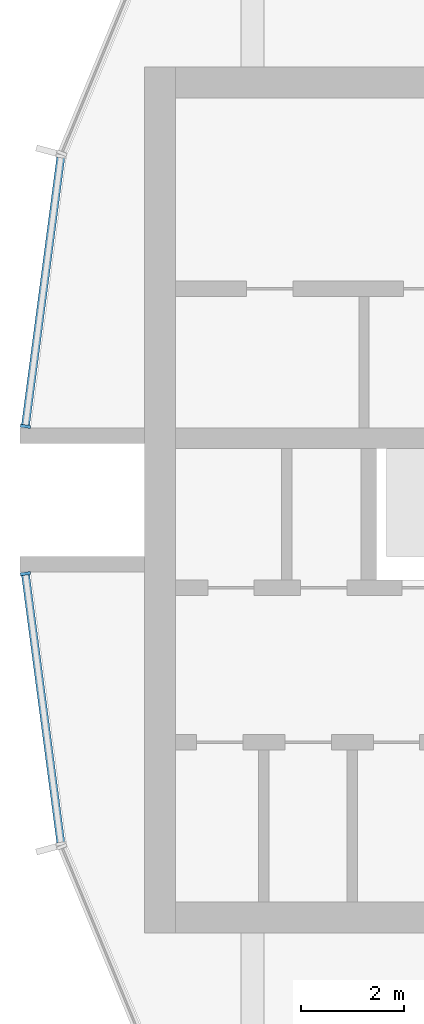
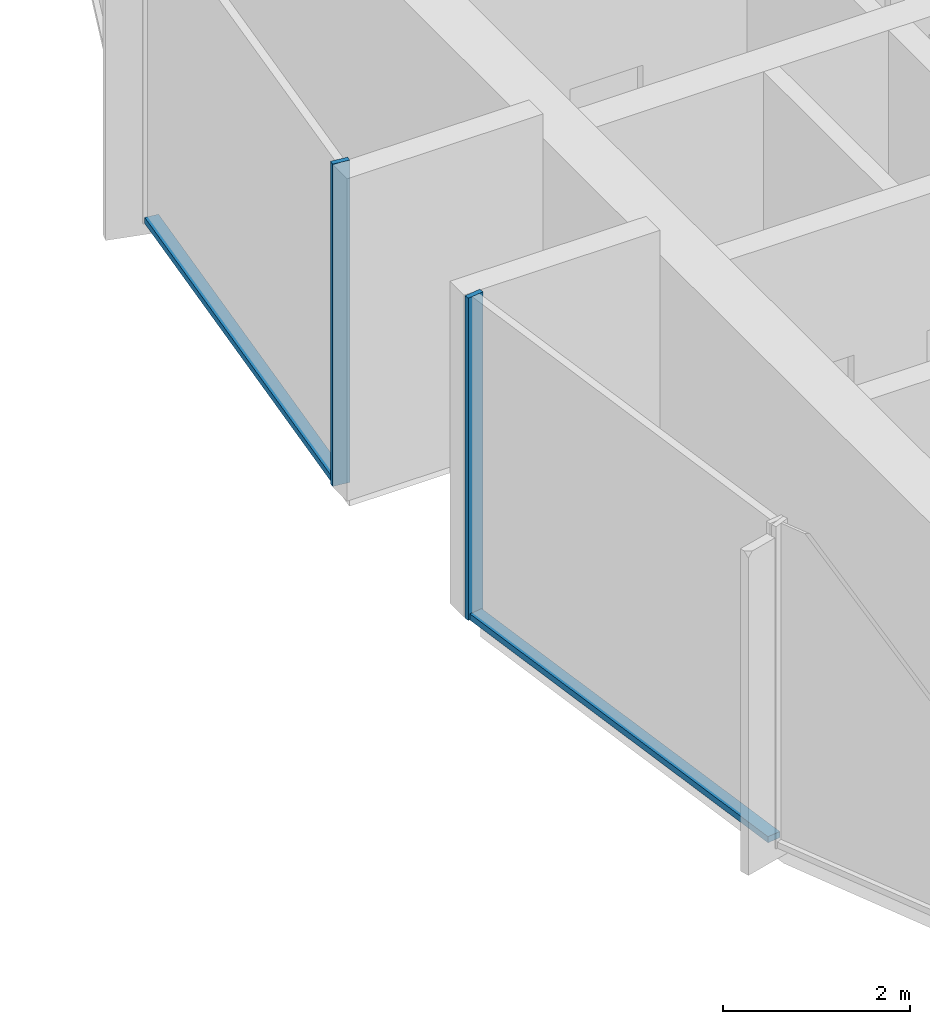
# One storey, part 3 of 15: 4 members, 2 elements without a shape of their own.
"""IFC4 building model written with IfcOpenShell, lengths in metres."""

from ifc_helpers import new_model, si_unit, direction, frame, origin, origin_2d, place, context, subcontext, project, spatial, rectangle, extrude, material, layer, layer_set, material_profile, profile_set, type_object, element, aggregate, save


model = new_model("IFC4")

# Units and contexts
model_context = context("Model", 3, precision=1e-05, world=origin(), true_north=direction((0.0, 1.0)))
body_context = subcontext(model_context, "Body", "Model", "MODEL_VIEW")
ifc_project = project(units=[si_unit("LENGTHUNIT", "METRE"), si_unit("AREAUNIT", "SQUARE_METRE"), si_unit("VOLUMEUNIT", "CUBIC_METRE"), si_unit("PLANEANGLEUNIT", "RADIAN"), si_unit("MASSUNIT", "GRAM", prefix="KILO")], contexts=[model_context])

# Site, building, storey
site_placement = place(None, origin())
site = spatial("IfcSite", under=ifc_project, at=site_placement, CompositionType="ELEMENT")
building_placement = place(site_placement, origin())
building = spatial("IfcBuilding", under=site, at=building_placement, Name="Torre Brocal", CompositionType="ELEMENT")
storey_placement = place(building_placement, frame((0.0, 0.0, 249.89990234375)))
storey = spatial("IfcBuildingStorey", under=building, at=storey_placement, Name="L57", CompositionType="ELEMENT", Elevation=249.89990234375)

# Curtain wall, member
ifc_material_1 = material(Name="Aluminium and glass", Category="aluminium")
ifc_layer = layer(ifc_material_1, 0.199951171875)
ifc_layer_set = layer_set([ifc_layer], Name="Aluminium and glass")
curtain_wall_type = type_object("IfcCurtainWallType", Name="CW-1B CURTAIN WALL 4200 HIGH", PredefinedType="NOTDEFINED", material=ifc_layer_set)
curtain_wall_1_placement = place(storey_placement, origin())
curtain_wall_1 = element("IfcCurtainWall", 1, at=curtain_wall_1_placement, inside=storey, type_object=curtain_wall_type, Name="CW-1B RUN 12", PredefinedType="NOTDEFINED")
ifc_material_2 = material(Name="Aluminium, dark anodised", Category="aluminium")
ifc_material_profile_1 = material_profile(ifc_material_2, rectangle(XDim=0.199951171875, YDim=0.06005859375, at=origin_2d()), Name="CW-1B MULLION 60X200")
ifc_profile_set_1 = profile_set([ifc_material_profile_1], Name="Aluminium, dark anodised")
member_type_1 = type_object("IfcMemberType", Name="CW-1B MULLION 60X200", PredefinedType="MULLION", material=ifc_profile_set_1)
member_1_placement = place(storey_placement, frame((54.2890625, 76.4296875, 0.0), z_axis=(0.0, 0.0, 1.0), x_axis=(0.991444861374, -0.13052619222, 0.0)))
member_1 = element("IfcMember", 2, at=member_1_placement, type_object=member_type_1, Name="CW1B-5 mullion 2", PredefinedType="MULLION", context=body_context, shape_type="SweptSolid", body=[
    extrude(rectangle(XDim=0.199951171875, YDim=0.06005859375, at=origin_2d()), origin(), (0.0, 0.0, 1.0), 4.2001953125),
])

curtain_wall_2_placement = place(storey_placement, origin())
curtain_wall_2 = element("IfcCurtainWall", 3, at=curtain_wall_2_placement, inside=storey, type_object=curtain_wall_type, Name="CW-1B RUN 13", PredefinedType="NOTDEFINED")
member_2_placement = place(storey_placement, frame((54.2890625, 73.5703125, 0.0), z_axis=(0.0, 0.0, 1.0), x_axis=(0.991444861374, 0.13052619222, 0.0)))
member_2 = element("IfcMember", 4, at=member_2_placement, type_object=member_type_1, Name="CW1B-5 mullion 1", PredefinedType="MULLION", context=body_context, shape_type="SweptSolid", body=[
    extrude(rectangle(XDim=0.199951171875, YDim=0.06005859375, at=origin_2d()), origin(), (0.0, 0.0, 1.0), 4.2001953125),
])

# Member
ifc_material_3 = material(Name="Aluminium, dark anodised", Category="aluminium")
ifc_material_profile_2 = material_profile(ifc_material_3, rectangle(XDim=0.159912109375, YDim=0.080078125, at=origin_2d()), Name="CW-1B TRANSOM 160X80")
ifc_profile_set_2 = profile_set([ifc_material_profile_2], Name="Aluminium, dark anodised")
member_type_2 = type_object("IfcMemberType", Name="CW-1B TRANSOM 160X80", PredefinedType="USERDEFINED", material=ifc_profile_set_2)
member_3_placement = place(storey_placement, frame((54.9755859375, 81.643798828125, 0.0400390625), z_axis=(-0.130542677827, -0.991442690863, 0.0), x_axis=(0.991442690863, -0.130542677827, 0.0)))
member_3 = element("IfcMember", 5, at=member_3_placement, type_object=member_type_2, Name="CW1B-5 transom 1.1", ObjectType="TRANSOM", PredefinedType="USERDEFINED", context=body_context, shape_type="SweptSolid", body=[
    extrude(rectangle(XDim=0.159912109375, YDim=0.080078125, at=origin_2d()), origin(), (0.0, 0.0, 1.0), 5.22900390625),
])

aggregate(curtain_wall_1, [member_1, member_3])

member_4_placement = place(storey_placement, frame((54.29296875, 73.54052734375, 0.0400390625), z_axis=(0.130542677827, -0.991442690863, 0.0), x_axis=(0.991442690863, 0.130542677827, 0.0)))
member_4 = element("IfcMember", 6, at=member_4_placement, type_object=member_type_2, Name="CW1B-5 transom 1.1", ObjectType="TRANSOM", PredefinedType="USERDEFINED", context=body_context, shape_type="SweptSolid", body=[
    extrude(rectangle(XDim=0.159912109375, YDim=0.080078125, at=origin_2d()), origin(), (0.0, 0.0, 1.0), 5.22900390625),
])

aggregate(curtain_wall_2, [member_2, member_4])

save(model, "model.ifc")
